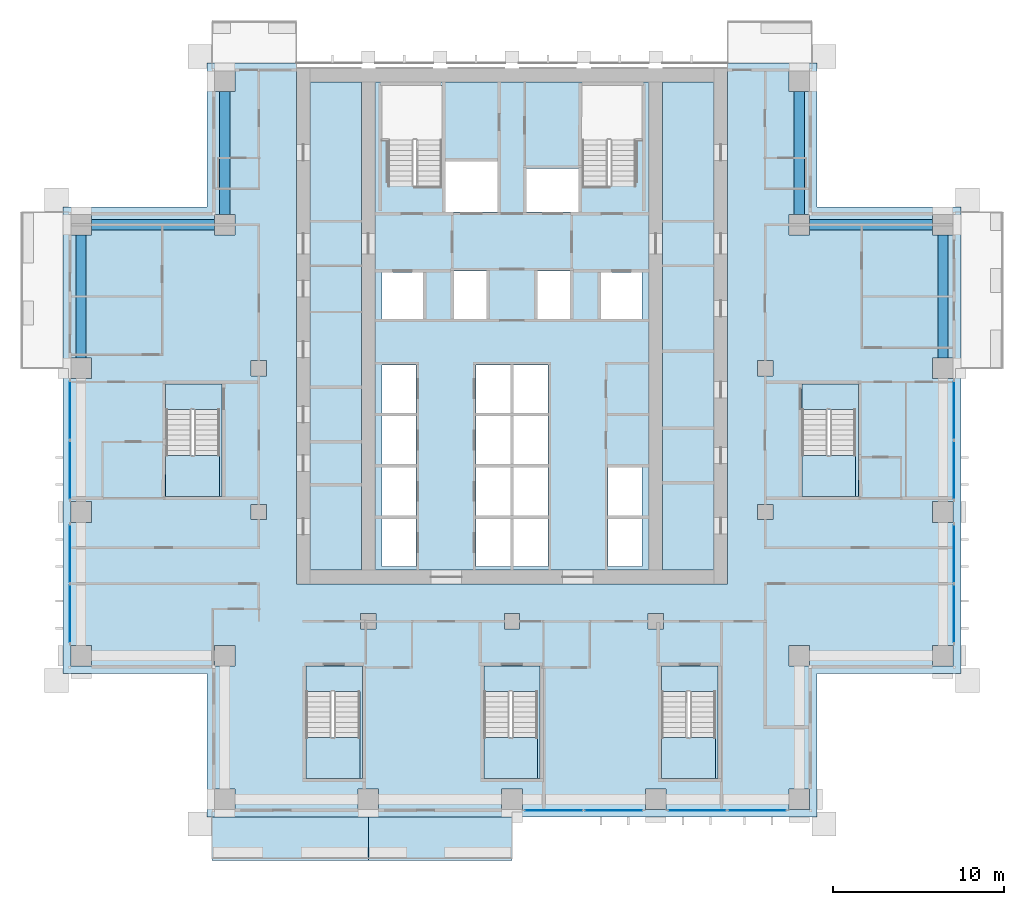
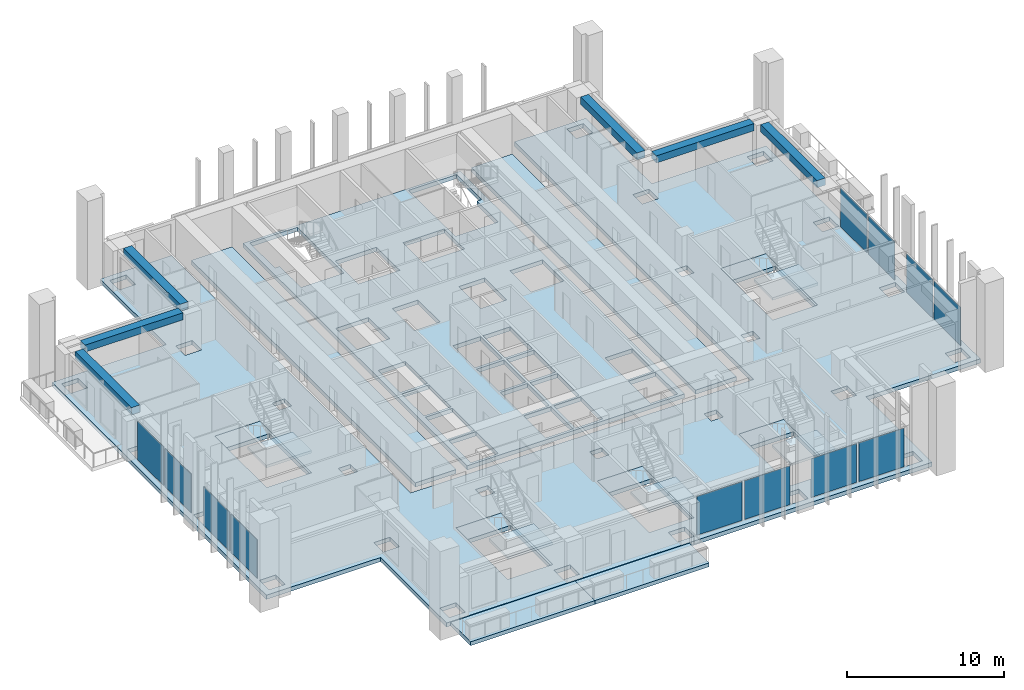
# One storey, part 5 of 17: 16 slabs, 12 plates, 6 beams, 11 elements without a shape of their own.
"""IFC4 building model written with IfcOpenShell, lengths in metres."""

from ifc_helpers import new_model, si_unit, direction, frame, origin, origin_2d, place, context, subcontext, project, spatial, polyline, rectangle, outline, extrude, material, layer, layer_set, material_profile, profile_set, type_object, element, aggregate, save


model = new_model("IFC4")

# Units and contexts
model_context = context("Model", 3, precision=1e-05, world=origin(), true_north=direction((0.0, 1.0)))
body_context = subcontext(model_context, "Body", "Model", "MODEL_VIEW")
ifc_project = project(units=[si_unit("LENGTHUNIT", "METRE"), si_unit("AREAUNIT", "SQUARE_METRE"), si_unit("VOLUMEUNIT", "CUBIC_METRE"), si_unit("PLANEANGLEUNIT", "RADIAN"), si_unit("MASSUNIT", "GRAM", prefix="KILO")], contexts=[model_context])

# Site, building, storey
site_placement = place(None, origin())
site = spatial("IfcSite", under=ifc_project, at=site_placement, CompositionType="ELEMENT")
building_placement = place(site_placement, origin())
building = spatial("IfcBuilding", under=site, at=building_placement, Name="Vermilion Ogive Tower", CompositionType="ELEMENT")
storey_placement = place(building_placement, frame((0.0, 0.0, 111.449951171875)))
storey = spatial("IfcBuildingStorey", under=building, at=storey_placement, Name="L28", CompositionType="ELEMENT", Elevation=111.449951171875)

# Beams
ifc_material_1 = material(Name="Concrete B45", Category="concrete")
ifc_material_profile = material_profile(ifc_material_1, rectangle(XDim=0.60009765625, YDim=0.550048828125, at=origin_2d()), Name="600 x 550")
ifc_profile_set = profile_set([ifc_material_profile], Name="Concrete B45")
beam_type = type_object("IfcBeamType", Name="Edge beam 600 x 550 B45", PredefinedType="BEAM", material=ifc_profile_set)
beam_1_placement = place(storey_placement, frame((25.199951171875, 4.800048828125, 2.85498046875), z_axis=(0.0, 1.0, 0.0), x_axis=(-1.0, 0.0, 0.0)))
element("IfcBeam", 1, at=beam_1_placement, inside=storey, type_object=beam_type, Name="L28-EB-9", PredefinedType="BEAM", context=body_context, shape_type="SweptSolid", body=[
    extrude(rectangle(XDim=0.60009765625, YDim=0.550048828125, at=origin_2d()), origin(), (0.0, 0.0, 1.0), 7.199951171875),
])
beam_2_placement = place(storey_placement, frame((24.60009765625, 12.60009765625, 2.85498046875), z_axis=(-1.0, 0.0, 0.0), x_axis=(0.0, -1.0, 0.0)))
element("IfcBeam", 2, at=beam_2_placement, inside=storey, type_object=beam_type, Name="L28-EB-10", PredefinedType="BEAM", context=body_context, shape_type="SweptSolid", body=[
    extrude(rectangle(XDim=0.60009765625, YDim=0.550048828125, at=origin_2d()), origin(), (0.0, 0.0, 1.0), 7.2001953125),
])
for number, where, z_axis, x_axis, name in (
    (3, (16.800048828125, 13.199951171875, 2.85498046875), (0.0, 1.0, 0.0), (-1.0, 0.0, 0.0), "L28-EB-11"),
    (4, (-16.800048828125, 20.39990234375, 2.85498046875), (0.0, -1.0, 0.0), (1.0, 0.0, 0.0), "L28-EB-12"),
):
    element("IfcBeam", number, at=place(storey_placement, frame(where, z_axis=z_axis, x_axis=x_axis)), inside=storey, type_object=beam_type, Name=name, PredefinedType="BEAM", context=body_context, shape_type="SweptSolid", body=[
        extrude(rectangle(XDim=0.60009765625, YDim=0.550048828125, at=origin_2d()), origin(), (0.0, 0.0, 1.0), 7.199951171875),
    ])
beam_3_placement = place(storey_placement, frame((-17.39990234375, 12.60009765625, 2.85498046875), z_axis=(-1.0, 0.0, 0.0), x_axis=(0.0, -1.0, 0.0)))
element("IfcBeam", 5, at=beam_3_placement, inside=storey, type_object=beam_type, Name="L28-EB-13", PredefinedType="BEAM", context=body_context, shape_type="SweptSolid", body=[
    extrude(rectangle(XDim=0.60009765625, YDim=0.550048828125, at=origin_2d()), origin(), (0.0, 0.0, 1.0), 7.2001953125),
])
beam_4_placement = place(storey_placement, frame((-25.199951171875, 12.0, 2.85498046875), z_axis=(0.0, -1.0, 0.0), x_axis=(1.0, 0.0, 0.0)))
element("IfcBeam", 6, at=beam_4_placement, inside=storey, type_object=beam_type, Name="L28-EB-14", PredefinedType="BEAM", context=body_context, shape_type="SweptSolid", body=[
    extrude(rectangle(XDim=0.60009765625, YDim=0.550048828125, at=origin_2d()), origin(), (0.0, 0.0, 1.0), 7.199951171875),
])

# Slabs
ifc_material_2 = material(Name="Concrete B40", Category="concrete")
ifc_layer_1 = layer(ifc_material_2, 0.300048828125)
ifc_layer_set_1 = layer_set([ifc_layer_1], Name="Balcony slab")
slab_type_1 = type_object("IfcSlabType", Name="Balcony slab", PredefinedType="FLOOR", material=ifc_layer_set_1)
slab_1_placement = place(storey_placement, frame((0.0, 0.0, -0.33984375)))
element("IfcSlab", 7, at=slab_1_placement, inside=storey, type_object=slab_type_1, Name="Balcony slab S01", PredefinedType="FLOOR", context=body_context, shape_type="SweptSolid", body=[
    extrude(outline(polyline([(-17.550048828125, -24.573974609375), (-8.39990234375, -24.573974609375), (-8.39990234375, -22.050048828125), (-17.550048828125, -22.050048828125), (-17.550048828125, -24.573974609375)])), origin(), (0.0, 0.0, 1.0), 0.2998046875),
])
slab_2_placement = place(storey_placement, frame((0.0, 0.0, -0.33984375)))
element("IfcSlab", 8, at=slab_2_placement, inside=storey, type_object=slab_type_1, Name="Balcony slab S02", PredefinedType="FLOOR", context=body_context, shape_type="SweptSolid", body=[
    extrude(outline(polyline([(-8.39990234375, -24.573974609375), (0.0, -24.573974609375), (0.0, -22.050048828125), (-8.39990234375, -22.050048828125), (-8.39990234375, -24.573974609375)])), origin(), (0.0, 0.0, 1.0), 0.2998046875),
])

# Curtain wall, plates
ifc_material_3 = material(Name="Low-iron laminated glazing in aluminium frame", Category="aluminium")
curtain_wall_type = type_object("IfcCurtainWallType", Name="Curtain wall CW7", PredefinedType="NOTDEFINED", material=ifc_material_3)
curtain_wall_1_placement = place(storey_placement, origin())
curtain_wall_1 = element("IfcCurtainWall", 9, at=curtain_wall_1_placement, inside=storey, type_object=curtain_wall_type, Name="Glazed skin S3", PredefinedType="NOTDEFINED")
ifc_material_4 = material(Name="Low-iron laminated glazing in aluminium frame", Category="aluminium")
ifc_layer_2 = layer(ifc_material_4, 0.031982421875)
ifc_layer_set_2 = layer_set([ifc_layer_2], Name="CW7 glazing panel 32")
plate_type = type_object("IfcPlateType", Name="CW7 glazing panel 32", PredefinedType="CURTAIN_PANEL", material=ifc_layer_set_2)
plate_1_placement = place(storey_placement, frame((2.445068359375, -21.64990234375, 0.06005859375), z_axis=(0.0, 0.0, 1.0), x_axis=(1.0, 0.0, 0.0)))
plate_1 = element("IfcPlate", 10, at=plate_1_placement, type_object=plate_type, Name="CW7-S3 panel 1.1", PredefinedType="CURTAIN_PANEL", context=body_context, shape_type="SweptSolid", body=[
    extrude(rectangle(XDim=3.330078125, YDim=0.031982421875, at=origin_2d()), origin(), (0.0, 0.0, 1.0), 3.010009765625),
])
plate_2_placement = place(storey_placement, frame((5.955078125, -21.64990234375, 0.06005859375), z_axis=(0.0, 0.0, 1.0), x_axis=(1.0, 0.0, 0.0)))
plate_2 = element("IfcPlate", 11, at=plate_2_placement, type_object=plate_type, Name="CW7-S3 panel 2.1", PredefinedType="CURTAIN_PANEL", context=body_context, shape_type="SweptSolid", body=[
    extrude(rectangle(XDim=3.330078125, YDim=0.031982421875, at=origin_2d()), origin(), (0.0, 0.0, 1.0), 3.010009765625),
])
aggregate(curtain_wall_1, [plate_1, plate_2])

curtain_wall_2_placement = place(storey_placement, origin())
curtain_wall_2 = element("IfcCurtainWall", 12, at=curtain_wall_2_placement, inside=storey, type_object=curtain_wall_type, Name="Glazed skin S4", PredefinedType="NOTDEFINED")
plate_3_placement = place(storey_placement, frame((10.844970703125, -21.64990234375, 0.06005859375), z_axis=(0.0, 0.0, 1.0), x_axis=(1.0, 0.0, 0.0)))
plate_3 = element("IfcPlate", 13, at=plate_3_placement, type_object=plate_type, Name="CW7-S4 panel 1.1", PredefinedType="CURTAIN_PANEL", context=body_context, shape_type="SweptSolid", body=[
    extrude(rectangle(XDim=3.330078125, YDim=0.031982421875, at=origin_2d()), origin(), (0.0, 0.0, 1.0), 3.010009765625),
])
plate_4_placement = place(storey_placement, frame((14.35498046875, -21.64990234375, 0.06005859375), z_axis=(0.0, 0.0, 1.0), x_axis=(1.0, 0.0, 0.0)))
plate_4 = element("IfcPlate", 14, at=plate_4_placement, type_object=plate_type, Name="CW7-S4 panel 2.1", PredefinedType="CURTAIN_PANEL", context=body_context, shape_type="SweptSolid", body=[
    extrude(rectangle(XDim=3.330078125, YDim=0.031982421875, at=origin_2d()), origin(), (0.0, 0.0, 1.0), 3.010009765625),
])
aggregate(curtain_wall_2, [plate_3, plate_4])

curtain_wall_3_placement = place(storey_placement, origin())
curtain_wall_3 = element("IfcCurtainWall", 15, at=curtain_wall_3_placement, inside=storey, type_object=curtain_wall_type, Name="Glazed skin E1", PredefinedType="NOTDEFINED")
plate_5_placement = place(storey_placement, frame((25.85009765625, -10.155029296875, 0.06005859375), z_axis=(0.0, 0.0, 1.0), x_axis=(0.0, 1.0, 0.0)))
plate_5 = element("IfcPlate", 16, at=plate_5_placement, type_object=plate_type, Name="CW7-E1 panel 1.1", PredefinedType="CURTAIN_PANEL", context=body_context, shape_type="SweptSolid", body=[
    extrude(rectangle(XDim=3.330078125, YDim=0.031982421875, at=origin_2d()), origin(), (0.0, 0.0, 1.0), 3.010009765625),
])
plate_6_placement = place(storey_placement, frame((25.85009765625, -6.64501953125, 0.06005859375), z_axis=(0.0, 0.0, 1.0), x_axis=(0.0, 1.0, 0.0)))
plate_6 = element("IfcPlate", 17, at=plate_6_placement, type_object=plate_type, Name="CW7-E1 panel 2.1", PredefinedType="CURTAIN_PANEL", context=body_context, shape_type="SweptSolid", body=[
    extrude(rectangle(XDim=3.330078125, YDim=0.031982421875, at=origin_2d()), origin(), (0.0, 0.0, 1.0), 3.010009765625),
])
aggregate(curtain_wall_3, [plate_5, plate_6])

curtain_wall_4_placement = place(storey_placement, origin())
curtain_wall_4 = element("IfcCurtainWall", 18, at=curtain_wall_4_placement, inside=storey, type_object=curtain_wall_type, Name="Glazed skin E2", PredefinedType="NOTDEFINED")
plate_7_placement = place(storey_placement, frame((25.85009765625, -1.7548828125, 0.06005859375), z_axis=(0.0, 0.0, 1.0), x_axis=(0.0, 1.0, 0.0)))
plate_7 = element("IfcPlate", 19, at=plate_7_placement, type_object=plate_type, Name="CW7-E2 panel 1.1", PredefinedType="CURTAIN_PANEL", context=body_context, shape_type="SweptSolid", body=[
    extrude(rectangle(XDim=3.330078125, YDim=0.031982421875, at=origin_2d()), origin(), (0.0, 0.0, 1.0), 3.010009765625),
])
plate_8_placement = place(storey_placement, frame((25.85009765625, 1.7548828125, 0.06005859375), z_axis=(0.0, 0.0, 1.0), x_axis=(0.0, 1.0, 0.0)))
plate_8 = element("IfcPlate", 20, at=plate_8_placement, type_object=plate_type, Name="CW7-E2 panel 2.1", PredefinedType="CURTAIN_PANEL", context=body_context, shape_type="SweptSolid", body=[
    extrude(rectangle(XDim=3.330078125, YDim=0.031982421875, at=origin_2d()), origin(), (0.0, 0.0, 1.0), 3.010009765625),
])
aggregate(curtain_wall_4, [plate_7, plate_8])

curtain_wall_5_placement = place(storey_placement, origin())
curtain_wall_5 = element("IfcCurtainWall", 21, at=curtain_wall_5_placement, inside=storey, type_object=curtain_wall_type, Name="Glazed skin W2", PredefinedType="NOTDEFINED")
plate_9_placement = place(storey_placement, frame((-25.85009765625, 1.7548828125, 0.06005859375), z_axis=(0.0, 0.0, 1.0), x_axis=(0.0, -1.0, 0.0)))
plate_9 = element("IfcPlate", 22, at=plate_9_placement, type_object=plate_type, Name="CW7-W2 panel 1.1", PredefinedType="CURTAIN_PANEL", context=body_context, shape_type="SweptSolid", body=[
    extrude(rectangle(XDim=3.330078125, YDim=0.031982421875, at=origin_2d()), origin(), (0.0, 0.0, 1.0), 3.010009765625),
])
plate_10_placement = place(storey_placement, frame((-25.85009765625, -1.7548828125, 0.06005859375), z_axis=(0.0, 0.0, 1.0), x_axis=(0.0, -1.0, 0.0)))
plate_10 = element("IfcPlate", 23, at=plate_10_placement, type_object=plate_type, Name="CW7-W2 panel 2.1", PredefinedType="CURTAIN_PANEL", context=body_context, shape_type="SweptSolid", body=[
    extrude(rectangle(XDim=3.330078125, YDim=0.031982421875, at=origin_2d()), origin(), (0.0, 0.0, 1.0), 3.010009765625),
])
aggregate(curtain_wall_5, [plate_9, plate_10])

curtain_wall_6_placement = place(storey_placement, origin())
curtain_wall_6 = element("IfcCurtainWall", 24, at=curtain_wall_6_placement, inside=storey, type_object=curtain_wall_type, Name="Glazed skin W3", PredefinedType="NOTDEFINED")
plate_11_placement = place(storey_placement, frame((-25.85009765625, -6.64501953125, 0.06005859375), z_axis=(0.0, 0.0, 1.0), x_axis=(0.0, -1.0, 0.0)))
plate_11 = element("IfcPlate", 25, at=plate_11_placement, type_object=plate_type, Name="CW7-W3 panel 1.1", PredefinedType="CURTAIN_PANEL", context=body_context, shape_type="SweptSolid", body=[
    extrude(rectangle(XDim=3.330078125, YDim=0.031982421875, at=origin_2d()), origin(), (0.0, 0.0, 1.0), 3.010009765625),
])
plate_12_placement = place(storey_placement, frame((-25.85009765625, -10.155029296875, 0.06005859375), z_axis=(0.0, 0.0, 1.0), x_axis=(0.0, -1.0, 0.0)))
plate_12 = element("IfcPlate", 26, at=plate_12_placement, type_object=plate_type, Name="CW7-W3 panel 2.1", PredefinedType="CURTAIN_PANEL", context=body_context, shape_type="SweptSolid", body=[
    extrude(rectangle(XDim=3.330078125, YDim=0.031982421875, at=origin_2d()), origin(), (0.0, 0.0, 1.0), 3.010009765625),
])
aggregate(curtain_wall_6, [plate_11, plate_12])

# Slabs
ifc_material_5 = material(Name="Concrete B40", Category="concrete")
ifc_layer_3 = layer(ifc_material_5, 0.320068359375)
ifc_layer_set_3 = layer_set([ifc_layer_3], Name="Core floor slab 320 B40")
slab_type_2 = type_object("IfcSlabType", Name="Core floor slab 320 B40", PredefinedType="FLOOR", material=ifc_layer_set_3)
slab_3_placement = place(storey_placement, frame((0.0, 0.0, -0.320068359375)))
element("IfcSlab", 27, at=slab_3_placement, inside=storey, type_object=slab_type_2, Name="L28-CK-FS1", PredefinedType="FLOOR", context=body_context, shape_type="SweptSolid", body=[
    extrude(outline(polyline([(-8.803955078125, 20.946044921875), (-8.803955078125, -7.595947265625), (-11.7958984375, -7.595947265625), (-11.7958984375, 20.946044921875), (-8.803955078125, 20.946044921875)])), origin(), (0.0, 0.0, 1.0), 0.320068359375),
])
slab_4_placement = place(storey_placement, frame((0.0, 0.0, -0.320068359375)))
element("IfcSlab", 28, at=slab_4_placement, inside=storey, type_object=slab_type_2, Name="L28-CK-FS2", PredefinedType="FLOOR", context=body_context, shape_type="SweptSolid", body=[
    extrude(outline(polyline([(-7.99609375, 20.946044921875), (-7.99609375, -7.595947265625), (7.99609375, -7.595947265625), (7.99609375, 20.946044921875), (-7.99609375, 20.946044921875)]), holes=[polyline([(-7.60009765625, -4.60009765625), (-5.60009765625, -4.60009765625), (-5.60009765625, -7.39990234375), (-7.60009765625, -7.39990234375), (-7.60009765625, -4.60009765625)]), polyline([(-2.10009765625, -4.60009765625), (-0.10009765625, -4.60009765625), (-0.10009765625, -7.39990234375), (-2.10009765625, -7.39990234375), (-2.10009765625, -4.60009765625)]), polyline([(-7.60009765625, -4.39990234375), (-7.60009765625, -1.60009765625), (-5.60009765625, -1.60009765625), (-5.60009765625, -4.39990234375), (-7.60009765625, -4.39990234375)]), polyline([(-2.10009765625, -1.60009765625), (-0.10009765625, -1.60009765625), (-0.10009765625, -4.39990234375), (-2.10009765625, -4.39990234375), (-2.10009765625, -1.60009765625)]), polyline([(-7.60009765625, -1.39990234375), (-7.60009765625, 1.39990234375), (-5.60009765625, 1.39990234375), (-5.60009765625, -1.39990234375), (-7.60009765625, -1.39990234375)]), polyline([(-2.10009765625, 1.39990234375), (-0.10009765625, 1.39990234375), (-0.10009765625, -1.39990234375), (-2.10009765625, -1.39990234375), (-2.10009765625, 1.39990234375)]), polyline([(-7.60009765625, 4.39990234375), (-5.60009765625, 4.39990234375), (-5.60009765625, 1.60009765625), (-7.60009765625, 1.60009765625), (-7.60009765625, 4.39990234375)]), polyline([(-2.10009765625, 4.39990234375), (-0.10009765625, 4.39990234375), (-0.10009765625, 1.60009765625), (-2.10009765625, 1.60009765625), (-2.10009765625, 4.39990234375)]), polyline([(-7.60009765625, 9.800048828125), (-5.199951171875, 9.800048828125), (-5.199951171875, 7.10009765625), (-7.60009765625, 7.10009765625), (-7.60009765625, 9.800048828125)]), polyline([(-3.39990234375, 9.89990234375), (-1.5, 9.89990234375), (-1.5, 7.10009765625), (-3.39990234375, 7.10009765625), (-3.39990234375, 9.89990234375)]), polyline([(-3.89990234375, 16.300048828125), (-0.85009765625, 16.300048828125), (-0.85009765625, 13.35009765625), (-3.89990234375, 13.35009765625), (-3.89990234375, 16.300048828125)]), polyline([(-7.60009765625, 17.550048828125), (-7.60009765625, 20.75), (-4.10009765625, 20.75), (-4.10009765625, 14.85205078125), (-5.60009765625, 14.85205078125), (-5.60009765625, 14.85009765625), (-5.75, 14.85009765625), (-5.75, 14.85205078125), (-7.25, 14.85205078125), (-7.25, 17.550048828125), (-7.60009765625, 17.550048828125)]), polyline([(0.10009765625, -4.60009765625), (2.10009765625, -4.60009765625), (2.10009765625, -7.39990234375), (0.10009765625, -7.39990234375), (0.10009765625, -4.60009765625)]), polyline([(5.60009765625, -4.60009765625), (7.60009765625, -4.60009765625), (7.60009765625, -7.39990234375), (5.60009765625, -7.39990234375), (5.60009765625, -4.60009765625)]), polyline([(0.10009765625, -1.60009765625), (2.10009765625, -1.60009765625), (2.10009765625, -4.39990234375), (0.10009765625, -4.39990234375), (0.10009765625, -1.60009765625)]), polyline([(5.60009765625, -1.60009765625), (7.60009765625, -1.60009765625), (7.60009765625, -4.39990234375), (5.60009765625, -4.39990234375), (5.60009765625, -1.60009765625)]), polyline([(0.10009765625, 1.39990234375), (2.10009765625, 1.39990234375), (2.10009765625, -1.39990234375), (0.10009765625, -1.39990234375), (0.10009765625, 1.39990234375)]), polyline([(0.10009765625, 4.39990234375), (2.10009765625, 4.39990234375), (2.10009765625, 1.60009765625), (0.10009765625, 1.60009765625), (0.10009765625, 4.39990234375)]), polyline([(5.199951171875, 9.800048828125), (7.60009765625, 9.800048828125), (7.60009765625, 7.10009765625), (5.199951171875, 7.10009765625), (5.199951171875, 9.800048828125)]), polyline([(1.5, 9.89990234375), (3.39990234375, 9.89990234375), (3.39990234375, 7.10009765625), (1.5, 7.10009765625), (1.5, 9.89990234375)]), polyline([(0.85009765625, 15.89990234375), (3.89990234375, 15.89990234375), (3.89990234375, 13.35009765625), (0.85009765625, 13.35009765625), (0.85009765625, 15.89990234375)]), polyline([(5.75, 14.85009765625), (5.60009765625, 14.85009765625), (5.60009765625, 14.85205078125), (4.10009765625, 14.85205078125), (4.10009765625, 17.550048828125), (4.074951171875, 17.550048828125), (4.074951171875, 20.75), (7.60009765625, 20.75), (7.60009765625, 17.550048828125), (7.25, 17.550048828125), (7.25, 14.85205078125), (5.75, 14.85205078125), (5.75, 14.85009765625)])]), origin(), (0.0, 0.0, 1.0), 0.320068359375),
])
slab_5_placement = place(storey_placement, frame((0.0, 0.0, -0.320068359375)))
element("IfcSlab", 29, at=slab_5_placement, inside=storey, type_object=slab_type_2, Name="L28-CK-FS3", PredefinedType="FLOOR", context=body_context, shape_type="SweptSolid", body=[
    extrude(outline(polyline([(11.7958984375, -7.595947265625), (8.803955078125, -7.595947265625), (8.803955078125, 20.946044921875), (11.7958984375, 20.946044921875), (11.7958984375, -7.595947265625)])), origin(), (0.0, 0.0, 1.0), 0.320068359375),
])
slab_6_placement = place(storey_placement, frame((0.0, 0.0, -0.320068359375)))
element("IfcSlab", 30, at=slab_6_placement, inside=storey, type_object=slab_type_2, Name="L28-SF-ST3-1", PredefinedType="FLOOR", context=body_context, shape_type="SweptSolid", body=[
    extrude(outline(polyline([(-12.050048828125, -13.199951171875), (-12.050048828125, -14.701904296875), (-10.550048828125, -14.701904296875), (-10.550048828125, -14.699951171875), (-10.39990234375, -14.699951171875), (-10.39990234375, -14.701904296875), (-8.89990234375, -14.701904296875), (-8.89990234375, -19.800048828125), (-8.75, -19.800048828125), (-8.75, -13.199951171875), (-12.050048828125, -13.199951171875)])), origin(), (0.0, 0.0, 1.0), 0.320068359375),
])
slab_7_placement = place(storey_placement, frame((0.0, 0.0, -0.320068359375)))
element("IfcSlab", 31, at=slab_7_placement, inside=storey, type_object=slab_type_2, Name="L28-SF-ST4-1", PredefinedType="FLOOR", context=body_context, shape_type="SweptSolid", body=[
    extrude(outline(polyline([(-1.64990234375, -13.199951171875), (-1.64990234375, -14.701904296875), (-0.14990234375, -14.701904296875), (-0.14990234375, -14.699951171875), (0.0, -14.699951171875), (0.0, -14.701904296875), (1.5, -14.701904296875), (1.5, -19.800048828125), (1.64990234375, -19.800048828125), (1.64990234375, -13.199951171875), (-1.64990234375, -13.199951171875)])), origin(), (0.0, 0.0, 1.0), 0.320068359375),
])
slab_8_placement = place(storey_placement, frame((0.0, 0.0, -0.320068359375)))
element("IfcSlab", 32, at=slab_8_placement, inside=storey, type_object=slab_type_2, Name="L28-SF-ST5-1", PredefinedType="FLOOR", context=body_context, shape_type="SweptSolid", body=[
    extrude(outline(polyline([(8.75, -13.199951171875), (8.75, -14.701904296875), (10.25, -14.701904296875), (10.25, -14.699951171875), (10.39990234375, -14.699951171875), (10.39990234375, -14.701904296875), (11.89990234375, -14.701904296875), (11.89990234375, -19.800048828125), (12.050048828125, -19.800048828125), (12.050048828125, -13.199951171875), (8.75, -13.199951171875)])), origin(), (0.0, 0.0, 1.0), 0.320068359375),
])
slab_9_placement = place(storey_placement, frame((0.0, 0.0, -0.320068359375)))
element("IfcSlab", 33, at=slab_9_placement, inside=storey, type_object=slab_type_2, Name="L28-SF-ST8-1", PredefinedType="FLOOR", context=body_context, shape_type="SweptSolid", body=[
    extrude(outline(polyline([(16.949951171875, 3.300048828125), (16.949951171875, 1.798095703125), (18.449951171875, 1.798095703125), (18.449951171875, 1.800048828125), (18.60009765625, 1.800048828125), (18.60009765625, 1.798095703125), (20.10009765625, 1.798095703125), (20.10009765625, -3.300048828125), (20.25, -3.300048828125), (20.25, 3.300048828125), (16.949951171875, 3.300048828125)])), origin(), (0.0, 0.0, 1.0), 0.320068359375),
])
slab_10_placement = place(storey_placement, frame((0.0, 0.0, -0.320068359375)))
element("IfcSlab", 34, at=slab_10_placement, inside=storey, type_object=slab_type_2, Name="L28-SF-ST9-1", PredefinedType="FLOOR", context=body_context, shape_type="SweptSolid", body=[
    extrude(outline(polyline([(-20.25, 3.300048828125), (-20.25, 1.798095703125), (-18.75, 1.798095703125), (-18.75, 1.800048828125), (-18.60009765625, 1.800048828125), (-18.60009765625, 1.798095703125), (-17.10009765625, 1.798095703125), (-17.10009765625, -3.300048828125), (-16.949951171875, -3.300048828125), (-16.949951171875, 3.300048828125), (-20.25, 3.300048828125)])), origin(), (0.0, 0.0, 1.0), 0.320068359375),
])
ifc_material_6 = material(Name="Concrete B45", Category="concrete")
ifc_layer_4 = layer(ifc_material_6, 0.320068359375)
ifc_layer_set_4 = layer_set([ifc_layer_4], Name="Post-tensioned flat plate 320 B45")
slab_type_3 = type_object("IfcSlabType", Name="Post-tensioned flat plate 320 B45", PredefinedType="FLOOR", material=ifc_layer_set_4)
slab_11_placement = place(storey_placement, frame((0.0, 0.0, -0.320068359375)))
element("IfcSlab", 35, at=slab_11_placement, inside=storey, type_object=slab_type_3, Name="L28-SL-1", PredefinedType="FLOOR", context=body_context, shape_type="SweptSolid", body=[
    extrude(outline(polyline([(-26.25, -13.64990234375), (-17.85009765625, -13.64990234375), (-17.85009765625, -22.050048828125), (17.85009765625, -22.050048828125), (17.85009765625, -13.64990234375), (26.25, -13.64990234375), (26.25, 13.64990234375), (17.85009765625, 13.64990234375), (17.85009765625, 22.050048828125), (12.60009765625, 22.050048828125), (12.60009765625, -8.39990234375), (-12.60009765625, -8.39990234375), (-12.60009765625, 22.050048828125), (-17.85009765625, 22.050048828125), (-17.85009765625, 13.64990234375), (-26.25, 13.64990234375), (-26.25, -13.64990234375)]), holes=[polyline([(25.800048828125, -3.60009765625), (25.800048828125, -4.800048828125), (24.60009765625, -4.800048828125), (24.60009765625, -3.60009765625), (25.800048828125, -3.60009765625)]), polyline([(25.800048828125, -12.0), (25.800048828125, -13.199951171875), (24.60009765625, -13.199951171875), (24.60009765625, -12.0), (25.800048828125, -12.0)]), polyline([(25.800048828125, 12.0), (24.60009765625, 12.0), (24.60009765625, 13.199951171875), (25.800048828125, 13.199951171875), (25.800048828125, 12.0)]), polyline([(25.800048828125, 3.60009765625), (24.60009765625, 3.60009765625), (24.60009765625, 4.800048828125), (25.800048828125, 4.800048828125), (25.800048828125, 3.60009765625)]), polyline([(20.25, -3.2998046875), (20.25, -3.300048828125), (16.949951171875, -3.300048828125), (16.949951171875, 3.300048828125), (20.25, 3.300048828125), (20.25, -0.89990234375), (20.275146484375, -0.89990234375), (20.275146484375, -3.2998046875), (20.25, -3.2998046875)]), polyline([(17.39990234375, -12.0), (17.39990234375, -13.199951171875), (16.199951171875, -13.199951171875), (16.199951171875, -12.0), (17.39990234375, -12.0)]), polyline([(17.39990234375, 20.39990234375), (16.199951171875, 20.39990234375), (16.199951171875, 21.60009765625), (17.39990234375, 21.60009765625), (17.39990234375, 20.39990234375)]), polyline([(17.39990234375, -20.39990234375), (17.39990234375, -21.60009765625), (16.199951171875, -21.60009765625), (16.199951171875, -20.39990234375), (17.39990234375, -20.39990234375)]), polyline([(17.39990234375, 13.199951171875), (17.39990234375, 12.0), (16.199951171875, 12.0), (16.199951171875, 13.199951171875), (17.39990234375, 13.199951171875)]), polyline([(15.25, 4.64990234375), (15.25, 3.75), (14.35009765625, 3.75), (14.35009765625, 4.64990234375), (15.25, 4.64990234375)]), polyline([(15.25, -4.64990234375), (14.35009765625, -4.64990234375), (14.35009765625, -3.75), (15.25, -3.75), (15.25, -4.64990234375)]), polyline([(12.050048828125, -13.199951171875), (12.050048828125, -19.800048828125), (8.75, -19.800048828125), (8.75, -13.199951171875), (12.050048828125, -13.199951171875)]), polyline([(9.0, -20.39990234375), (9.0, -21.60009765625), (7.800048828125, -21.60009765625), (7.800048828125, -20.39990234375), (9.0, -20.39990234375)]), polyline([(8.85009765625, -11.050048828125), (7.949951171875, -11.050048828125), (7.949951171875, -10.14990234375), (8.85009765625, -10.14990234375), (8.85009765625, -11.050048828125)]), polyline([(1.64990234375, -13.199951171875), (1.64990234375, -19.800048828125), (-1.64990234375, -19.800048828125), (-1.64990234375, -13.199951171875), (1.64990234375, -13.199951171875)]), polyline([(0.60009765625, -20.39990234375), (0.60009765625, -21.60009765625), (-0.60009765625, -21.60009765625), (-0.60009765625, -20.39990234375), (0.60009765625, -20.39990234375)]), polyline([(0.449951171875, -10.14990234375), (0.449951171875, -11.050048828125), (-0.449951171875, -11.050048828125), (-0.449951171875, -10.14990234375), (0.449951171875, -10.14990234375)]), polyline([(-7.800048828125, -20.39990234375), (-7.800048828125, -21.60009765625), (-9.0, -21.60009765625), (-9.0, -20.39990234375), (-7.800048828125, -20.39990234375)]), polyline([(-7.949951171875, -10.14990234375), (-7.949951171875, -11.050048828125), (-8.85009765625, -11.050048828125), (-8.85009765625, -10.14990234375), (-7.949951171875, -10.14990234375)]), polyline([(-8.75, -13.199951171875), (-8.75, -19.800048828125), (-12.050048828125, -19.800048828125), (-12.050048828125, -13.199951171875), (-8.75, -13.199951171875)]), polyline([(-14.35009765625, 4.64990234375), (-14.35009765625, 3.75), (-15.25, 3.75), (-15.25, 4.64990234375), (-14.35009765625, 4.64990234375)]), polyline([(-14.35009765625, -4.64990234375), (-15.25, -4.64990234375), (-15.25, -3.75), (-14.35009765625, -3.75), (-14.35009765625, -4.64990234375)]), polyline([(-16.199951171875, 13.199951171875), (-16.199951171875, 12.0), (-17.39990234375, 12.0), (-17.39990234375, 13.199951171875), (-16.199951171875, 13.199951171875)]), polyline([(-16.199951171875, -12.0), (-16.199951171875, -13.199951171875), (-17.39990234375, -13.199951171875), (-17.39990234375, -12.0), (-16.199951171875, -12.0)]), polyline([(-16.199951171875, -20.39990234375), (-16.199951171875, -21.60009765625), (-17.39990234375, -21.60009765625), (-17.39990234375, -20.39990234375), (-16.199951171875, -20.39990234375)]), polyline([(-16.199951171875, 20.39990234375), (-17.39990234375, 20.39990234375), (-17.39990234375, 21.60009765625), (-16.199951171875, 21.60009765625), (-16.199951171875, 20.39990234375)]), polyline([(-16.949951171875, 3.300048828125), (-16.949951171875, -3.300048828125), (-20.25, -3.300048828125), (-20.25, 3.300048828125), (-16.949951171875, 3.300048828125)]), polyline([(-24.60009765625, 3.60009765625), (-25.800048828125, 3.60009765625), (-25.800048828125, 4.800048828125), (-24.60009765625, 4.800048828125), (-24.60009765625, 3.60009765625)]), polyline([(-24.60009765625, 13.199951171875), (-24.60009765625, 12.0), (-25.800048828125, 12.0), (-25.800048828125, 13.199951171875), (-24.60009765625, 13.199951171875)]), polyline([(-24.60009765625, -3.60009765625), (-24.60009765625, -4.800048828125), (-25.800048828125, -4.800048828125), (-25.800048828125, -3.60009765625), (-24.60009765625, -3.60009765625)]), polyline([(-24.60009765625, -12.0), (-24.60009765625, -13.199951171875), (-25.800048828125, -13.199951171875), (-25.800048828125, -12.0), (-24.60009765625, -12.0)])]), origin(), (0.0, 0.0, 1.0), 0.320068359375),
])

# Stair, slab
ifc_material_7 = material(Name="Concrete B40", Category="concrete")
stair_type = type_object("IfcStairType", Name="Exit stair 1500", PredefinedType="HALF_TURN_STAIR", material=ifc_material_7)
stair_1_placement = place(storey_placement, origin())
stair_1 = element("IfcStair", 36, at=stair_1_placement, inside=storey, type_object=stair_type, Name="L28 Exit Stair ST3", PredefinedType="HALF_TURN_STAIR")
ifc_material_8 = material(Name="Concrete B40", Category="concrete")
ifc_layer_5 = layer(ifc_material_8, 0.199951171875)
ifc_layer_set_5 = layer_set([ifc_layer_5], Name="Stair landing 200")
slab_type_4 = type_object("IfcSlabType", Name="Stair landing 200", PredefinedType="LANDING", material=ifc_layer_set_5)
slab_12_placement = place(storey_placement, frame((0.0, 0.0, 1.525146484375)))
slab_12 = element("IfcSlab", 37, at=slab_12_placement, type_object=slab_type_4, Name="ST3 landing 1", PredefinedType="LANDING", context=body_context, shape_type="SweptSolid", body=[
    extrude(outline(polyline([(-8.75, -17.39990234375), (-8.89990234375, -17.39990234375), (-8.89990234375, -17.39794921875), (-10.39990234375, -17.39794921875), (-10.39990234375, -17.39990234375), (-10.550048828125, -17.39990234375), (-10.550048828125, -17.39794921875), (-12.050048828125, -17.39794921875), (-12.050048828125, -19.800048828125), (-8.75, -19.800048828125), (-8.75, -17.39990234375)])), origin(), (0.0, 0.0, 1.0), 0.199951171875),
])
aggregate(stair_1, [slab_12])

stair_2_placement = place(storey_placement, origin())
stair_2 = element("IfcStair", 38, at=stair_2_placement, inside=storey, type_object=stair_type, Name="L28 Exit Stair ST4", PredefinedType="HALF_TURN_STAIR")
slab_13_placement = place(storey_placement, frame((0.0, 0.0, 1.525146484375)))
slab_13 = element("IfcSlab", 39, at=slab_13_placement, type_object=slab_type_4, Name="ST4 landing 1", PredefinedType="LANDING", context=body_context, shape_type="SweptSolid", body=[
    extrude(outline(polyline([(1.64990234375, -17.39990234375), (1.5, -17.39990234375), (1.5, -17.39794921875), (0.0, -17.39794921875), (0.0, -17.39990234375), (-0.14990234375, -17.39990234375), (-0.14990234375, -17.39794921875), (-1.64990234375, -17.39794921875), (-1.64990234375, -19.7998046875), (1.64990234375, -19.7998046875), (1.64990234375, -17.39990234375)])), origin(), (0.0, 0.0, 1.0), 0.199951171875),
])
aggregate(stair_2, [slab_13])

stair_3_placement = place(storey_placement, origin())
stair_3 = element("IfcStair", 40, at=stair_3_placement, inside=storey, type_object=stair_type, Name="L28 Exit Stair ST5", PredefinedType="HALF_TURN_STAIR")
slab_14_placement = place(storey_placement, frame((0.0, 0.0, 1.525146484375)))
slab_14 = element("IfcSlab", 41, at=slab_14_placement, type_object=slab_type_4, Name="ST5 landing 1", PredefinedType="LANDING", context=body_context, shape_type="SweptSolid", body=[
    extrude(outline(polyline([(12.0498046875, -17.39990234375), (11.89990234375, -17.39990234375), (11.89990234375, -17.39794921875), (10.39990234375, -17.39794921875), (10.39990234375, -17.39990234375), (10.25, -17.39990234375), (10.25, -17.39794921875), (8.75, -17.39794921875), (8.75, -17.39990234375), (8.75, -17.39990234375), (8.75, -19.7998046875), (12.0498046875, -19.7998046875), (12.0498046875, -17.39990234375)])), origin(), (0.0, 0.0, 1.0), 0.199951171875),
])
aggregate(stair_3, [slab_14])

stair_4_placement = place(storey_placement, origin())
stair_4 = element("IfcStair", 42, at=stair_4_placement, inside=storey, type_object=stair_type, Name="L28 Exit Stair ST8", PredefinedType="HALF_TURN_STAIR")
slab_15_placement = place(storey_placement, frame((0.0, 0.0, 1.525146484375)))
slab_15 = element("IfcSlab", 43, at=slab_15_placement, type_object=slab_type_4, Name="ST8 landing 1", PredefinedType="LANDING", context=body_context, shape_type="SweptSolid", body=[
    extrude(outline(polyline([(20.275146484375, -0.89990234375), (20.10009765625, -0.89990234375), (20.10009765625, -0.89794921875), (18.60009765625, -0.89794921875), (18.60009765625, -0.89990234375), (18.449951171875, -0.89990234375), (18.449951171875, -0.89794921875), (16.949951171875, -0.89794921875), (16.949951171875, -0.902099609375), (16.9501953125, -0.902099609375), (16.9501953125, -3.2998046875), (20.275146484375, -3.2998046875), (20.275146484375, -0.89990234375)])), origin(), (0.0, 0.0, 1.0), 0.199951171875),
])
aggregate(stair_4, [slab_15])

stair_5_placement = place(storey_placement, origin())
stair_5 = element("IfcStair", 44, at=stair_5_placement, inside=storey, type_object=stair_type, Name="L28 Exit Stair ST9", PredefinedType="HALF_TURN_STAIR")
slab_16_placement = place(storey_placement, frame((0.0, 0.0, 1.525146484375)))
slab_16 = element("IfcSlab", 45, at=slab_16_placement, type_object=slab_type_4, Name="ST9 landing 1", PredefinedType="LANDING", context=body_context, shape_type="SweptSolid", body=[
    extrude(outline(polyline([(-16.9501953125, -0.89990234375), (-17.10009765625, -0.89990234375), (-17.10009765625, -0.89794921875), (-18.60009765625, -0.89794921875), (-18.60009765625, -0.89990234375), (-18.75, -0.89990234375), (-18.75, -0.89794921875), (-20.25, -0.89794921875), (-20.25, -0.89990234375), (-20.275146484375, -0.89990234375), (-20.275146484375, -3.2998046875), (-16.9501953125, -3.2998046875), (-16.9501953125, -0.89990234375)])), origin(), (0.0, 0.0, 1.0), 0.199951171875),
])
aggregate(stair_5, [slab_16])

save(model, "model.ifc")
